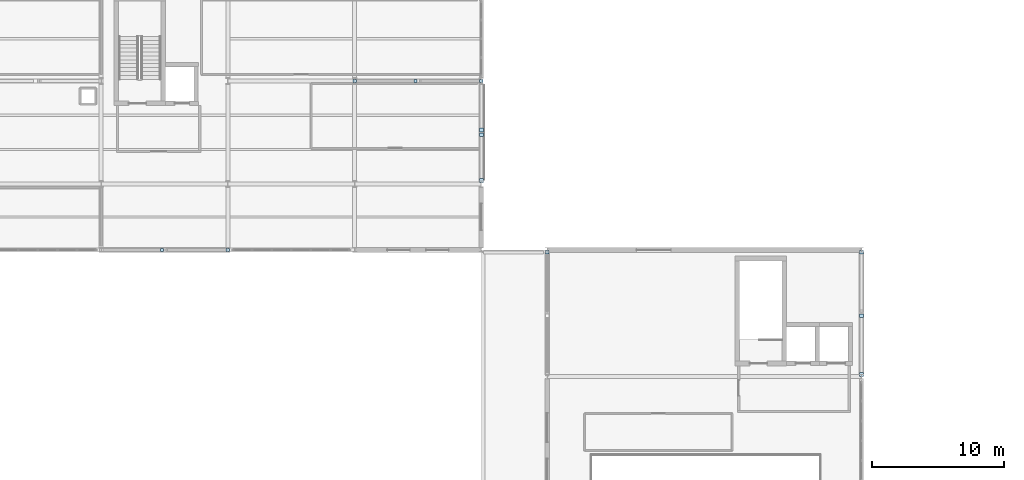
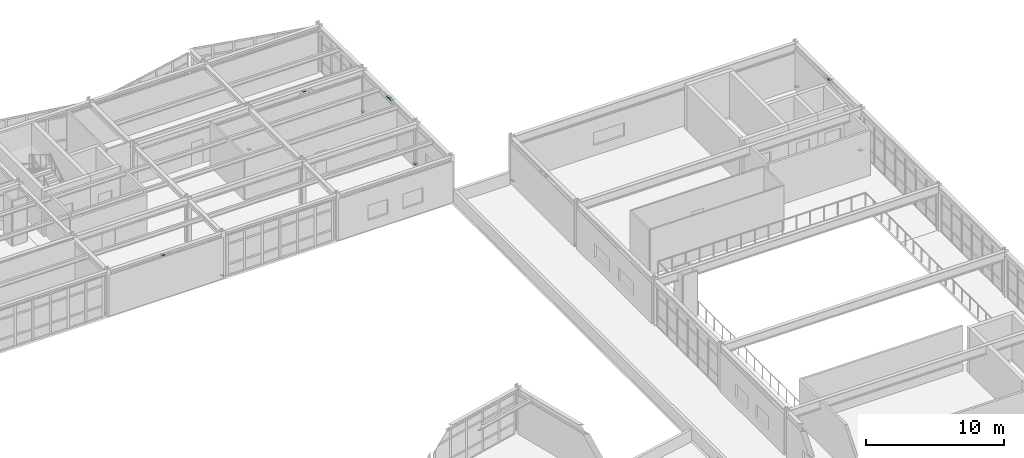
# One storey, part 61 of 76: 12 plates.
"""IFC4 building model written with IfcOpenShell, lengths in metres."""

from ifc_helpers import new_model, si_unit, direction, frame, origin, origin_2d, place, context, subcontext, project, spatial, rectangle, extrude, material, layer, layer_set, type_object, element, save


model = new_model("IFC4")

# Units and contexts
model_context = context("Model", 3, precision=1e-05, world=origin(), true_north=direction((0.0, 1.0)))
body_context = subcontext(model_context, "Body", "Model", "MODEL_VIEW")
ifc_project = project(units=[si_unit("LENGTHUNIT", "METRE"), si_unit("AREAUNIT", "SQUARE_METRE"), si_unit("VOLUMEUNIT", "CUBIC_METRE"), si_unit("PLANEANGLEUNIT", "RADIAN"), si_unit("MASSUNIT", "GRAM", prefix="KILO")], contexts=[model_context])

# Site, building, storey
site_placement = place(None, origin())
site = spatial("IfcSite", under=ifc_project, at=site_placement, CompositionType="ELEMENT")
building_placement = place(site_placement, origin())
building = spatial("IfcBuilding", under=site, at=building_placement, Name="Nordkorset Police Headquarters", CompositionType="ELEMENT")
storey_placement = place(building_placement, frame((0.0, 0.0, 13.64990234375)))
storey = spatial("IfcBuildingStorey", under=building, at=storey_placement, Name="L03", CompositionType="ELEMENT", Elevation=13.64990234375)

# Plates
ifc_material = material(Name="Steel S355J2", Category="steel")
ifc_layer = layer(ifc_material, 0.02001953125, Name="Steel S355J2")
ifc_layer_set = layer_set([ifc_layer], Name="Steel S355J2")
plate_type = type_object("IfcPlateType", Name="SteelPlate_20mm", PredefinedType="SHEET", material=ifc_layer_set)
for number, where, z_axis, x_axis, name in (
    (1, (76.807373046875, 110.39990234375, 0.190185546875), (0.0, 0.0, 1.0), (1.0, 0.0, 0.0), "Hollow Section End Cap Plate BF-V2-B-L03-D1-0"),
    (2, (81.419921875, 110.39990234375, 3.75), (0.0, 0.0, 1.0), (1.0, 0.0, 0.0), "Hollow Section End Cap Plate BF-V2-B-L03-D1-1"),
    (3, (86.392578125, 110.39990234375, 0.190185546875), (0.0, 0.0, 1.0), (1.0, 0.0, 0.0), "Hollow Section End Cap Plate BF-V2-B-L03-D2-0"),
):
    element("IfcPlate", number, at=place(storey_placement, frame(where, z_axis=z_axis, x_axis=x_axis)), inside=storey, type_object=plate_type, Name=name, PredefinedType="SHEET", context=body_context, shape_type="SweptSolid", body=[
        extrude(rectangle(XDim=0.239990234375, YDim=0.239990234375, at=origin_2d()), origin(), (0.0, 0.0, 1.0), 0.02001953125),
    ])
plate_placement = place(storey_placement, frame((91.39990234375, 97.429931640625, 0.190185546875), z_axis=(0.0, 0.0, 1.0), x_axis=(1.0, 0.0, 0.0)))
element("IfcPlate", 4, at=plate_placement, inside=storey, type_object=plate_type, Name="Hollow Section End Cap Plate BF-V5-A-L03-D2-0", PredefinedType="SHEET", context=body_context, shape_type="SweptSolid", body=[
    extrude(rectangle(XDim=0.259033203125, YDim=0.259033203125, at=origin_2d()), origin(), (0.0, 0.0, 1.0), 0.02001953125),
])
for number, where, z_axis, x_axis, name in (
    (5, (86.39990234375, 102.85009765625, 0.190185546875), (0.0, 0.0, 1.0), (1.0, 0.0, 0.0), "Hollow Section End Cap Plate BF-EXT-V2E-L03-D1-0"),
    (6, (86.39990234375, 106.320068359375, 3.75), (0.0, 0.0, 1.0), (1.0, 0.0, 0.0), "Hollow Section End Cap Plate BF-EXT-V2E-L03-D1-1"),
    (7, (86.39990234375, 106.679931640625, 3.75), (0.0, 0.0, 1.0), (1.0, 0.0, 0.0), "Hollow Section End Cap Plate BF-EXT-V2E-L03-D2-1"),
):
    element("IfcPlate", number, at=place(storey_placement, frame(where, z_axis=z_axis, x_axis=x_axis)), inside=storey, type_object=plate_type, Name=name, PredefinedType="SHEET", context=body_context, shape_type="SweptSolid", body=[
        extrude(rectangle(XDim=0.2900390625, YDim=0.2900390625, at=origin_2d()), origin(), (0.0, 0.0, 1.0), 0.02001953125),
    ])
for number, where, z_axis, x_axis, name in (
    (8, (62.219970703125, 97.60009765625, 3.75), (0.0, 0.0, 1.0), (1.0, 0.0, 0.0), "Hollow Section End Cap Plate BF-EXT-V2S-L03-D1-1"),
    (9, (67.194091796875, 97.60009765625, 0.190185546875), (0.0, 0.0, 1.0), (1.0, 0.0, 0.0), "Hollow Section End Cap Plate BF-EXT-V2S-L03-D2-0"),
):
    element("IfcPlate", number, at=place(storey_placement, frame(where, z_axis=z_axis, x_axis=x_axis)), inside=storey, type_object=plate_type, Name=name, PredefinedType="SHEET", context=body_context, shape_type="SweptSolid", body=[
        extrude(rectangle(XDim=0.239990234375, YDim=0.239990234375, at=origin_2d()), origin(), (0.0, 0.0, 1.0), 0.02001953125),
    ])
for number, where, z_axis, x_axis, name in (
    (10, (115.199951171875, 88.169921875, 0.190185546875), (0.0, 0.0, 1.0), (1.0, 0.0, 0.0), "Hollow Section End Cap Plate BF-EXT-V5E4-L03-D1-0"),
    (11, (115.199951171875, 92.6201171875, 3.75), (0.0, 0.0, 1.0), (1.0, 0.0, 0.0), "Hollow Section End Cap Plate BF-EXT-V5E4-L03-D1-1"),
    (12, (115.199951171875, 97.429931640625, 0.190185546875), (0.0, 0.0, 1.0), (1.0, 0.0, 0.0), "Hollow Section End Cap Plate BF-EXT-V5E4-L03-D2-0"),
):
    element("IfcPlate", number, at=place(storey_placement, frame(where, z_axis=z_axis, x_axis=x_axis)), inside=storey, type_object=plate_type, Name=name, PredefinedType="SHEET", context=body_context, shape_type="SweptSolid", body=[
        extrude(rectangle(XDim=0.2900390625, YDim=0.2900390625, at=origin_2d()), origin(), (0.0, 0.0, 1.0), 0.02001953125),
    ])

save(model, "model.ifc")
